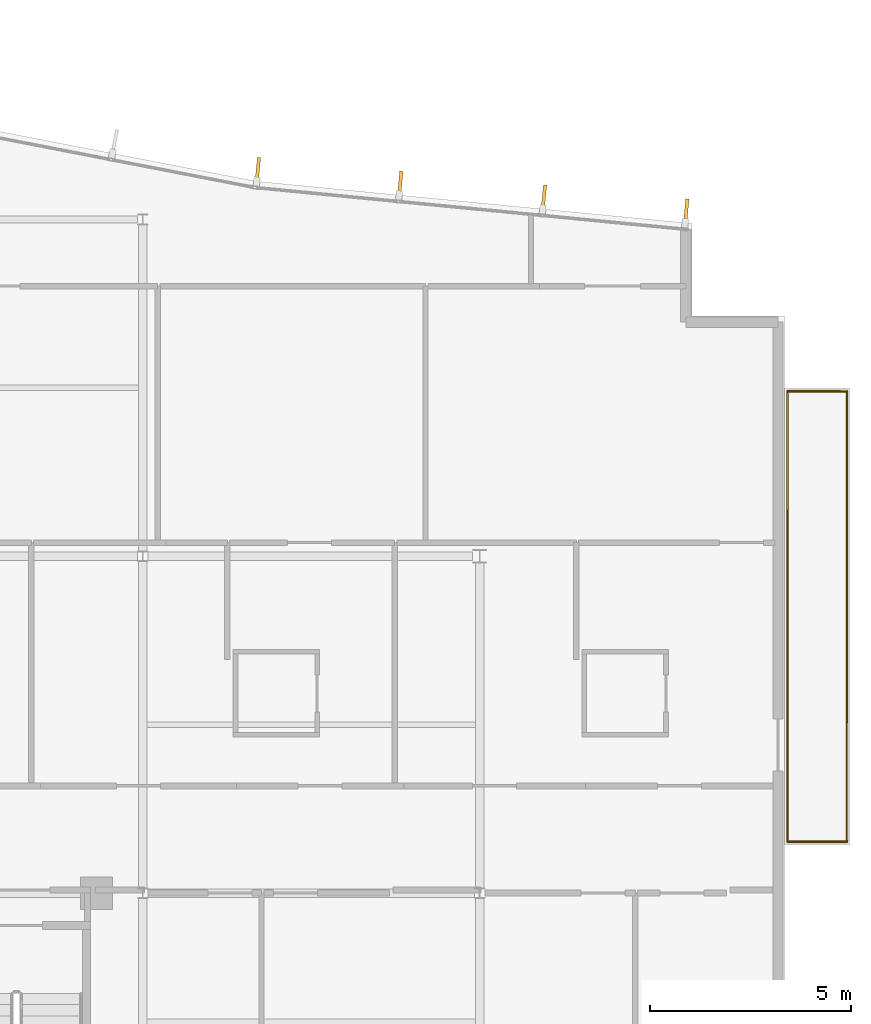
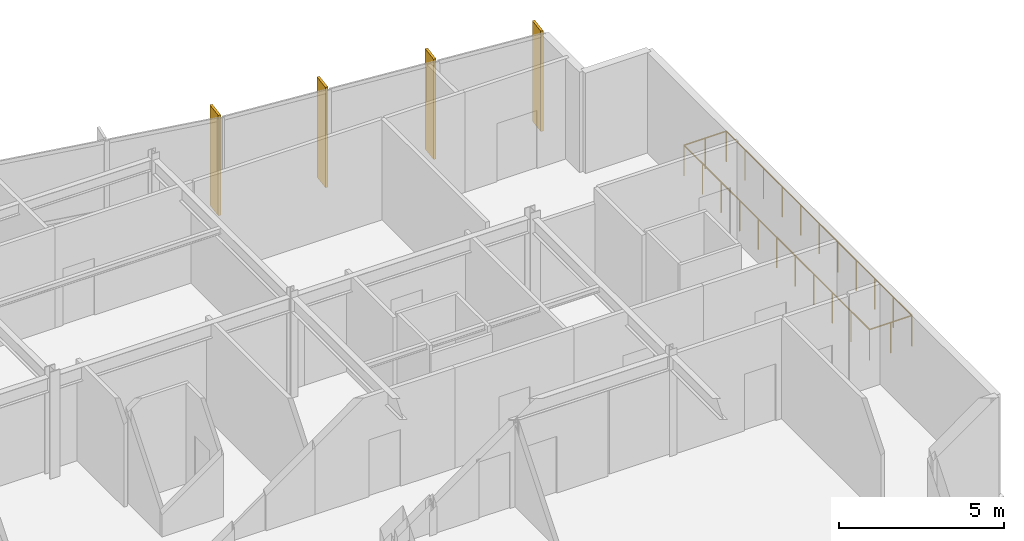
# One storey, part 14 of 15: 4 railings, 4 shading devices.
"""IFC4 building model written with IfcOpenShell, lengths in metres."""

from ifc_helpers import new_model, si_unit, direction, frame, origin, origin_2d, place, context, subcontext, project, spatial, rectangle, circle, extrude, material, layer, layer_set, type_object, element, save


model = new_model("IFC4")

# Units and contexts
model_context = context("Model", 3, precision=1e-05, world=origin(), true_north=direction((0.0, 1.0)))
body_context = subcontext(model_context, "Body", "Model", "MODEL_VIEW")
ifc_project = project(units=[si_unit("LENGTHUNIT", "METRE"), si_unit("AREAUNIT", "SQUARE_METRE"), si_unit("VOLUMEUNIT", "CUBIC_METRE"), si_unit("PLANEANGLEUNIT", "RADIAN"), si_unit("MASSUNIT", "GRAM", prefix="KILO")], contexts=[model_context])

# Site, building, storey
site_placement = place(None, origin())
site = spatial("IfcSite", under=ifc_project, at=site_placement, CompositionType="ELEMENT")
building_placement = place(site_placement, origin())
building = spatial("IfcBuilding", under=site, at=building_placement, Name="Varnakote Quay Hospital", CompositionType="ELEMENT")
storey_placement = place(building_placement, frame((0.0, 0.0, 276.300048828125)))
storey = spatial("IfcBuildingStorey", under=building, at=storey_placement, Name="L68", CompositionType="ELEMENT", Elevation=276.300048828125)

# Railings
ifc_material_1 = material(Name="Anodised aluminium 6063-T6 Bronze", Category="aluminium")
railing_type = type_object("IfcRailingType", Name="RLG-EXT-GUARD-1150", PredefinedType="GUARDRAIL", material=ifc_material_1)
railing_1_placement = place(storey_placement, frame((41.27587890625, 24.52001953125, 0.0)))
element("IfcRailing", 1, at=railing_1_placement, inside=storey, type_object=railing_type, Name="L68 Zigzag Prow Healing Terrace Safety Guard", PredefinedType="GUARDRAIL", context=body_context, shape_type="SweptSolid", body=[
    extrude(circle(Radius=0.02392578125, at=origin_2d()), frame((0.0, 0.0, 1.1259765625), z_axis=(1.0, 0.0, 0.0), x_axis=(0.0, 1.0, 0.0)), (0.0, 0.0, 1.0), 1.484130859375),
    extrude(circle(Radius=0.02099609375, at=origin_2d()), origin(), (0.0, 0.0, 1.0), 1.101806640625),
    extrude(circle(Radius=0.02099609375, at=origin_2d()), frame((0.7421875, 0.0, 0.0)), (0.0, 0.0, 1.0), 1.101806640625),
    extrude(circle(Radius=0.02099609375, at=origin_2d()), frame((1.484130859375, 0.0, 0.0)), (0.0, 0.0, 1.0), 1.101806640625),
])
railing_2_placement = place(storey_placement, frame((42.760009765625, 24.52001953125, 0.0)))
element("IfcRailing", 2, at=railing_2_placement, inside=storey, type_object=railing_type, Name="L68 Zigzag Prow Healing Terrace Safety Guard", PredefinedType="GUARDRAIL", context=body_context, shape_type="SweptSolid", body=[
    extrude(circle(Radius=0.02392578125, at=origin_2d()), frame((0.0, 0.0, 1.1259765625), z_axis=(0.0, -1.0, 0.0), x_axis=(1.0, 0.0, 0.0)), (0.0, 0.0, 1.0), 11.239990234375),
    extrude(circle(Radius=0.02099609375, at=origin_2d()), origin(), (0.0, 0.0, 1.0), 1.101806640625),
    extrude(circle(Radius=0.02099609375, at=origin_2d()), frame((0.0, -1.1240234375, 0.0)), (0.0, 0.0, 1.0), 1.101806640625),
    extrude(circle(Radius=0.02099609375, at=origin_2d()), frame((0.0, -2.248046875, 0.0)), (0.0, 0.0, 1.0), 1.101806640625),
    extrude(circle(Radius=0.02099609375, at=origin_2d()), frame((0.0, -3.3720703125, 0.0)), (0.0, 0.0, 1.0), 1.101806640625),
    extrude(circle(Radius=0.02099609375, at=origin_2d()), frame((0.0, -4.49609375, 0.0)), (0.0, 0.0, 1.0), 1.101806640625),
    extrude(circle(Radius=0.02099609375, at=origin_2d()), frame((0.0, -5.6201171875, 0.0)), (0.0, 0.0, 1.0), 1.101806640625),
    extrude(circle(Radius=0.02099609375, at=origin_2d()), frame((0.0, -6.743896484375, 0.0)), (0.0, 0.0, 1.0), 1.101806640625),
    extrude(circle(Radius=0.02099609375, at=origin_2d()), frame((0.0, -7.867919921875, 0.0)), (0.0, 0.0, 1.0), 1.101806640625),
    extrude(circle(Radius=0.02099609375, at=origin_2d()), frame((0.0, -8.991943359375, 0.0)), (0.0, 0.0, 1.0), 1.101806640625),
    extrude(circle(Radius=0.02099609375, at=origin_2d()), frame((0.0, -10.115966796875, 0.0)), (0.0, 0.0, 1.0), 1.101806640625),
    extrude(circle(Radius=0.02099609375, at=origin_2d()), frame((0.0, -11.239990234375, 0.0)), (0.0, 0.0, 1.0), 1.101806640625),
])
railing_3_placement = place(storey_placement, frame((42.760009765625, 13.280029296875, 0.0)))
element("IfcRailing", 3, at=railing_3_placement, inside=storey, type_object=railing_type, Name="L68 Zigzag Prow Healing Terrace Safety Guard", PredefinedType="GUARDRAIL", context=body_context, shape_type="SweptSolid", body=[
    extrude(circle(Radius=0.02392578125, at=origin_2d()), frame((0.0, 0.0, 1.1259765625), z_axis=(-1.0, 0.0, 0.0), x_axis=(0.0, -1.0, 0.0)), (0.0, 0.0, 1.0), 1.484130859375),
    extrude(circle(Radius=0.02099609375, at=origin_2d()), origin(), (0.0, 0.0, 1.0), 1.101806640625),
    extrude(circle(Radius=0.02099609375, at=origin_2d()), frame((-0.7421875, 0.0, 0.0)), (0.0, 0.0, 1.0), 1.101806640625),
    extrude(circle(Radius=0.02099609375, at=origin_2d()), frame((-1.484130859375, 0.0, 0.0)), (0.0, 0.0, 1.0), 1.101806640625),
])
railing_4_placement = place(storey_placement, frame((41.27587890625, 13.280029296875, 0.0)))
element("IfcRailing", 4, at=railing_4_placement, inside=storey, type_object=railing_type, Name="L68 Zigzag Prow Healing Terrace Safety Guard", PredefinedType="GUARDRAIL", context=body_context, shape_type="SweptSolid", body=[
    extrude(circle(Radius=0.02392578125, at=origin_2d()), frame((0.0, 0.0, 1.1259765625), z_axis=(0.0, 1.0, 0.0), x_axis=(-1.0, 0.0, 0.0)), (0.0, 0.0, 1.0), 11.239990234375),
    extrude(circle(Radius=0.02099609375, at=origin_2d()), origin(), (0.0, 0.0, 1.0), 1.101806640625),
    extrude(circle(Radius=0.02099609375, at=origin_2d()), frame((0.0, 1.1240234375, 0.0)), (0.0, 0.0, 1.0), 1.101806640625),
    extrude(circle(Radius=0.02099609375, at=origin_2d()), frame((0.0, 2.248046875, 0.0)), (0.0, 0.0, 1.0), 1.101806640625),
    extrude(circle(Radius=0.02099609375, at=origin_2d()), frame((0.0, 3.3720703125, 0.0)), (0.0, 0.0, 1.0), 1.101806640625),
    extrude(circle(Radius=0.02099609375, at=origin_2d()), frame((0.0, 4.49609375, 0.0)), (0.0, 0.0, 1.0), 1.101806640625),
    extrude(circle(Radius=0.02099609375, at=origin_2d()), frame((0.0, 5.6201171875, 0.0)), (0.0, 0.0, 1.0), 1.101806640625),
    extrude(circle(Radius=0.02099609375, at=origin_2d()), frame((0.0, 6.743896484375, 0.0)), (0.0, 0.0, 1.0), 1.101806640625),
    extrude(circle(Radius=0.02099609375, at=origin_2d()), frame((0.0, 7.867919921875, 0.0)), (0.0, 0.0, 1.0), 1.101806640625),
    extrude(circle(Radius=0.02099609375, at=origin_2d()), frame((0.0, 8.991943359375, 0.0)), (0.0, 0.0, 1.0), 1.101806640625),
    extrude(circle(Radius=0.02099609375, at=origin_2d()), frame((0.0, 10.115966796875, 0.0)), (0.0, 0.0, 1.0), 1.101806640625),
    extrude(circle(Radius=0.02099609375, at=origin_2d()), frame((0.0, 11.239990234375, 0.0)), (0.0, 0.0, 1.0), 1.101806640625),
])

# Shading devices
ifc_material_2 = material(Name="Anodised aluminium 6063-T6 Bronze", Category="aluminium")
ifc_layer = layer(ifc_material_2, 0.0849609375)
ifc_layer_set = layer_set([ifc_layer], Name="Anodised aluminium 6063-T6 Bronze")
shading_device_type = type_object("IfcShadingDeviceType", Name="SHD-BRONZE-FIN-620", PredefinedType="USERDEFINED", material=ifc_layer_set)
for number, where, z_axis, x_axis, name in (
    (5, (38.751220703125, 29.005859375, 0.0), (0.0, 0.0, 1.0), (-0.096540646748, -0.995329042842, 0.0), "L68 Anodised Bronze Vertical Shading FIN"),
    (6, (35.201171875, 29.350341796875, 0.0), (0.0, 0.0, 1.0), (-0.096540646748, -0.995329042842, 0.0), "L68 Anodised Bronze Vertical Shading FIN"),
    (7, (31.618896484375, 29.69775390625, 0.0), (0.0, 0.0, 1.0), (-0.096540646748, -0.995329042842, 0.0), "L68 Anodised Bronze Vertical Shading FIN"),
    (8, (28.06884765625, 30.042236328125, 0.0), (0.0, 0.0, 1.0), (-0.096540646748, -0.995329042842, 0.0), "L68 Anodised Bronze Vertical Shading FIN"),
):
    element("IfcShadingDevice", number, at=place(storey_placement, frame(where, z_axis=z_axis, x_axis=x_axis)), inside=storey, type_object=shading_device_type, Name=name, ObjectType="FIN", PredefinedType="USERDEFINED", context=body_context, shape_type="SweptSolid", body=[
        extrude(rectangle(XDim=0.6201171875, YDim=0.0849609375, at=origin_2d()), origin(), (0.0, 0.0, 1.0), 3.7099609375),
    ])

save(model, "model.ifc")
